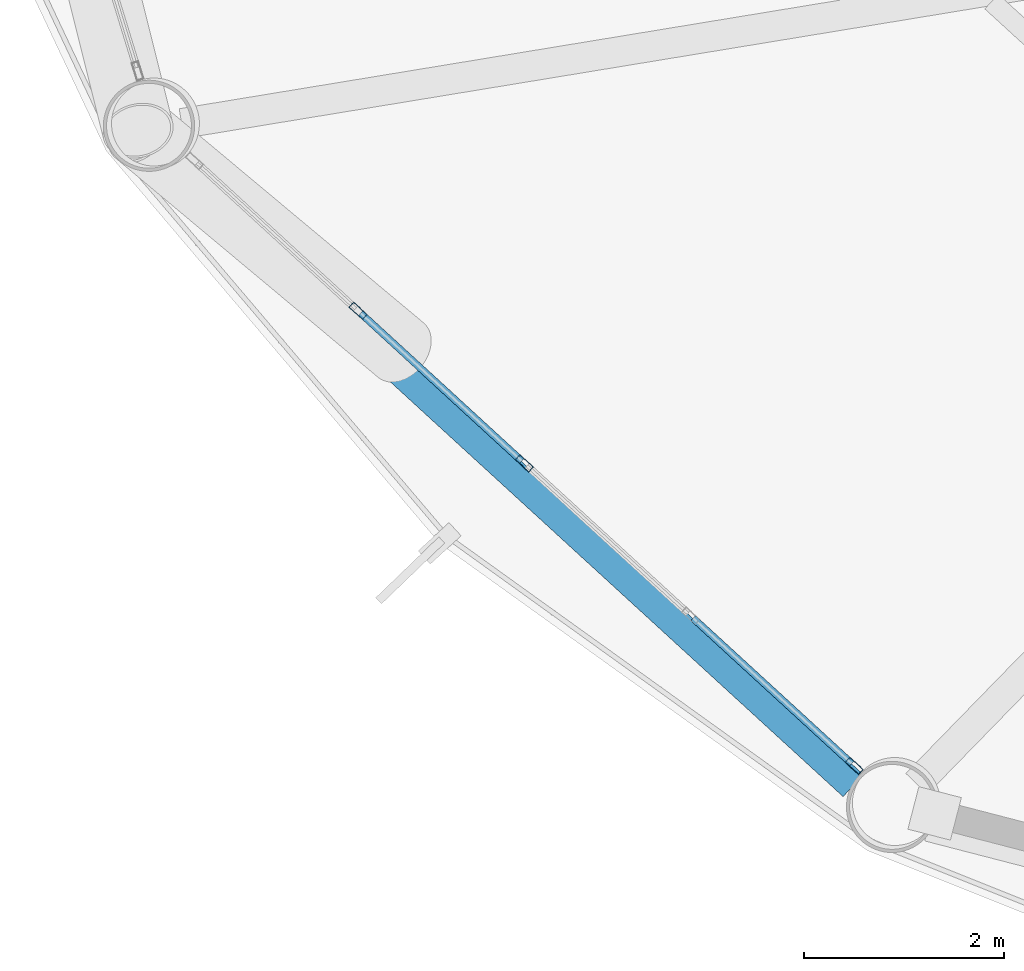
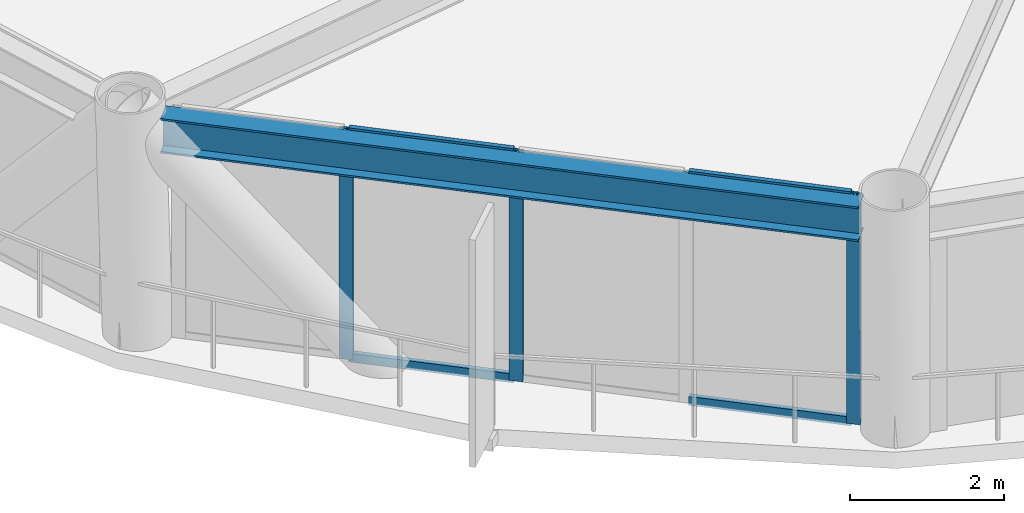
# One storey, part 2 of 25: 7 members, 1 beam, 1 element without a shape of its own.
"""IFC4 building model written with IfcOpenShell, lengths in metres."""

from ifc_helpers import new_model, si_unit, direction, frame, origin, origin_2d, place, context, subcontext, project, spatial, hollow_rectangle, i_section, extrude, material, layer, layer_set, material_profile, profile_set, type_object, element, aggregate, save


model = new_model("IFC4")

# Units and contexts
model_context = context("Model", 3, precision=1e-05, world=origin(), true_north=direction((0.0, 1.0)))
body_context = subcontext(model_context, "Body", "Model", "MODEL_VIEW")
ifc_project = project(units=[si_unit("LENGTHUNIT", "METRE"), si_unit("AREAUNIT", "SQUARE_METRE"), si_unit("VOLUMEUNIT", "CUBIC_METRE"), si_unit("PLANEANGLEUNIT", "RADIAN"), si_unit("MASSUNIT", "GRAM", prefix="KILO")], contexts=[model_context])

# Site, building, storey
site_placement = place(None, origin())
site = spatial("IfcSite", under=ifc_project, at=site_placement, CompositionType="ELEMENT")
building_placement = place(site_placement, origin())
building = spatial("IfcBuilding", under=site, at=building_placement, Name="Varnakorn Sky Granary", CompositionType="ELEMENT")
storey_placement = place(building_placement, frame((0.0, 0.0, 35.39990234375)))
storey = spatial("IfcBuildingStorey", under=building, at=storey_placement, Name="L08", CompositionType="ELEMENT", Elevation=35.39990234375)

# Beam
ifc_material_1 = material(Name="Steel S355JR", Category="steel")
ifc_material_profile_1 = material_profile(ifc_material_1, i_section(OverallWidth=0.300048828125, OverallDepth=0.550048828125, WebThickness=0.014892578125, FlangeThickness=0.029052734375, at=origin_2d()), Name="HE 550 B")
ifc_profile_set_1 = profile_set([ifc_material_profile_1], Name="Steel S355JR")
beam_type = type_object("IfcBeamType", Name="BM-SPD-Z1", PredefinedType="SPANDREL", material=ifc_profile_set_1)
beam_placement = place(storey_placement, frame((-18.90234375, -9.672607421875, 3.364990234375), z_axis=(0.737455592026, -0.675395624645, 0.0), x_axis=(0.675395624645, 0.737455592026, 0.0)))
element("IfcBeam", 1, at=beam_placement, inside=storey, type_object=beam_type, Name="Perimeter Spandrel Ring Beam RB08 L08", PredefinedType="SPANDREL", context=body_context, shape_type="SweptSolid", body=[
    extrude(i_section(OverallWidth=0.300048828125, OverallDepth=0.550048828125, WebThickness=0.014892578125, FlangeThickness=0.029052734375, at=origin_2d()), origin(), (0.0, 0.0, 1.0), 9.2763671875),
])

# Curtain wall, members
ifc_material_2 = material(Name="Anodised Bronze Aluminium Alloy 6063-T6", Category="aluminium")
ifc_layer = layer(ifc_material_2, 0.18994140625, Name="Anodised Bronze Aluminium Alloy 6063-T6")
ifc_layer_set = layer_set([ifc_layer], Name="Anodised Bronze Aluminium Alloy 6063-T6")
curtain_wall_type = type_object("IfcCurtainWallType", Name="CW-FRM-1", PredefinedType="USERDEFINED", material=ifc_layer_set)
curtain_wall_placement = place(storey_placement, origin())
curtain_wall = element("IfcCurtainWall", 2, at=curtain_wall_placement, inside=storey, type_object=curtain_wall_type, Name="Unitised Curtain Wall CW3 CW-L08-B08", ObjectType="CURTAIN WALL", PredefinedType="USERDEFINED")
ifc_material_profile_2 = material_profile(ifc_material_2, hollow_rectangle(XDim=0.070068359375, YDim=0.18505859375, WallThickness=0.00390625, at=origin_2d()), Name="ALU MULL 70x185")
ifc_profile_set_2 = profile_set([ifc_material_profile_2], Name="Anodised Bronze Aluminium Alloy 6063-T6")
member_type_1 = type_object("IfcMemberType", Name="CW-FRM-1-MULL", PredefinedType="MULLION", material=ifc_profile_set_2)
member_1_placement = place(storey_placement, frame((-12.05126953125, -15.740234375, 0.0), z_axis=(0.0, 0.0, 1.0), x_axis=(-0.675878356504, -0.737013193375, 0.0)))
member_1 = element("IfcMember", 3, at=member_1_placement, type_object=member_type_1, Name="CW3 mullion 1", PredefinedType="MULLION", context=body_context, shape_type="SweptSolid", body=[
    extrude(hollow_rectangle(XDim=0.070068359375, YDim=0.18505859375, WallThickness=0.00390625, at=origin_2d()), origin(), (0.0, 0.0, 1.0), 3.64013671875),
])
member_2_placement = place(storey_placement, frame((-15.357666015625, -12.708251953125, 0.0), z_axis=(0.0, 0.0, 1.0), x_axis=(-0.675878356504, -0.737013193375, 0.0)))
member_2 = element("IfcMember", 4, at=member_2_placement, type_object=member_type_1, Name="CW3 mullion 3", PredefinedType="MULLION", context=body_context, shape_type="SweptSolid", body=[
    extrude(hollow_rectangle(XDim=0.070068359375, YDim=0.18505859375, WallThickness=0.00390625, at=origin_2d()), origin(), (0.0, 0.0, 1.0), 3.64013671875),
])
member_3_placement = place(storey_placement, frame((-17.023681640625, -11.18017578125, 0.0), z_axis=(0.0, 0.0, 1.0), x_axis=(-0.675878356504, -0.737013193375, 0.0)))
member_3 = element("IfcMember", 5, at=member_3_placement, type_object=member_type_1, Name="CW3 mullion 4", PredefinedType="MULLION", context=body_context, shape_type="SweptSolid", body=[
    extrude(hollow_rectangle(XDim=0.070068359375, YDim=0.18505859375, WallThickness=0.00390625, at=origin_2d()), origin(), (0.0, 0.0, 1.0), 3.64013671875),
])
ifc_material_profile_3 = material_profile(ifc_material_2, hollow_rectangle(XDim=0.070068359375, YDim=0.139892578125, WallThickness=0.00341796875, at=origin_2d()), Name="ALU TRAN 70x140")
ifc_profile_set_3 = profile_set([ifc_material_profile_3], Name="Anodised Bronze Aluminium Alloy 6063-T6")
member_type_2 = type_object("IfcMemberType", Name="CW-FRM-1-TRAN", PredefinedType="USERDEFINED", material=ifc_profile_set_3)
member_4_placement = place(storey_placement, frame((-12.0771484375, -15.716552734375, 0.03515625), z_axis=(-0.737027182872, 0.675863101306, 0.0), x_axis=(-0.675863101306, -0.737027182872, 0.0)))
member_4 = element("IfcMember", 6, at=member_4_placement, type_object=member_type_2, Name="CW3 transom 1.1", ObjectType="TRANSOM", PredefinedType="USERDEFINED", context=body_context, shape_type="SweptSolid", body=[
    extrude(hollow_rectangle(XDim=0.070068359375, YDim=0.139892578125, WallThickness=0.00341796875, at=origin_2d()), origin(), (0.0, 0.0, 1.0), 2.155517578125),
])
member_5_placement = place(storey_placement, frame((-12.0771484375, -15.716552734375, 3.60498046875), z_axis=(-0.737027182872, 0.675863101306, 0.0), x_axis=(-0.675863101306, -0.737027182872, 0.0)))
member_5 = element("IfcMember", 7, at=member_5_placement, type_object=member_type_2, Name="CW3 transom 1.2", ObjectType="TRANSOM", PredefinedType="USERDEFINED", context=body_context, shape_type="SweptSolid", body=[
    extrude(hollow_rectangle(XDim=0.070068359375, YDim=0.139892578125, WallThickness=0.00341796875, at=origin_2d()), origin(), (0.0, 0.0, 1.0), 2.155517578125),
])
member_6_placement = place(storey_placement, frame((-15.383544921875, -12.6845703125, 0.03515625), z_axis=(-0.736982954511, 0.675911329066, 0.0), x_axis=(-0.675911329066, -0.736982954511, 0.0)))
member_6 = element("IfcMember", 8, at=member_6_placement, type_object=member_type_2, Name="CW3 transom 3.1", ObjectType="TRANSOM", PredefinedType="USERDEFINED", context=body_context, shape_type="SweptSolid", body=[
    extrude(hollow_rectangle(XDim=0.070068359375, YDim=0.139892578125, WallThickness=0.00341796875, at=origin_2d()), origin(), (0.0, 0.0, 1.0), 2.190673828125),
])
member_7_placement = place(storey_placement, frame((-15.383544921875, -12.6845703125, 3.60498046875), z_axis=(-0.736982954511, 0.675911329066, 0.0), x_axis=(-0.675911329066, -0.736982954511, 0.0)))
member_7 = element("IfcMember", 9, at=member_7_placement, type_object=member_type_2, Name="CW3 transom 3.2", ObjectType="TRANSOM", PredefinedType="USERDEFINED", context=body_context, shape_type="SweptSolid", body=[
    extrude(hollow_rectangle(XDim=0.070068359375, YDim=0.139892578125, WallThickness=0.00341796875, at=origin_2d()), origin(), (0.0, 0.0, 1.0), 2.190673828125),
])
aggregate(curtain_wall, [member_1, member_2, member_3, member_4, member_5, member_6, member_7])

save(model, "model.ifc")
